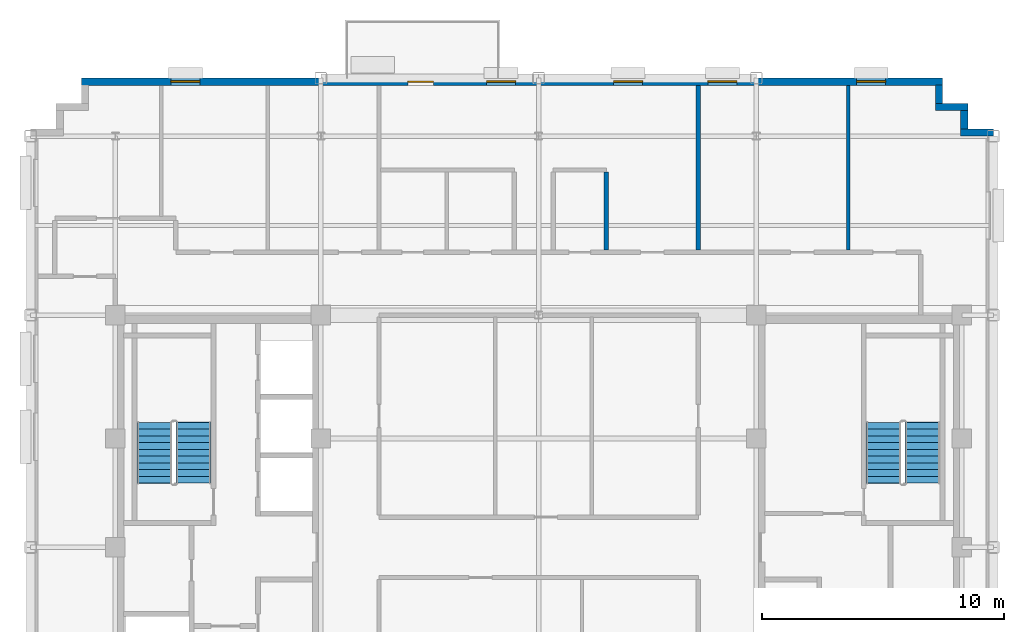
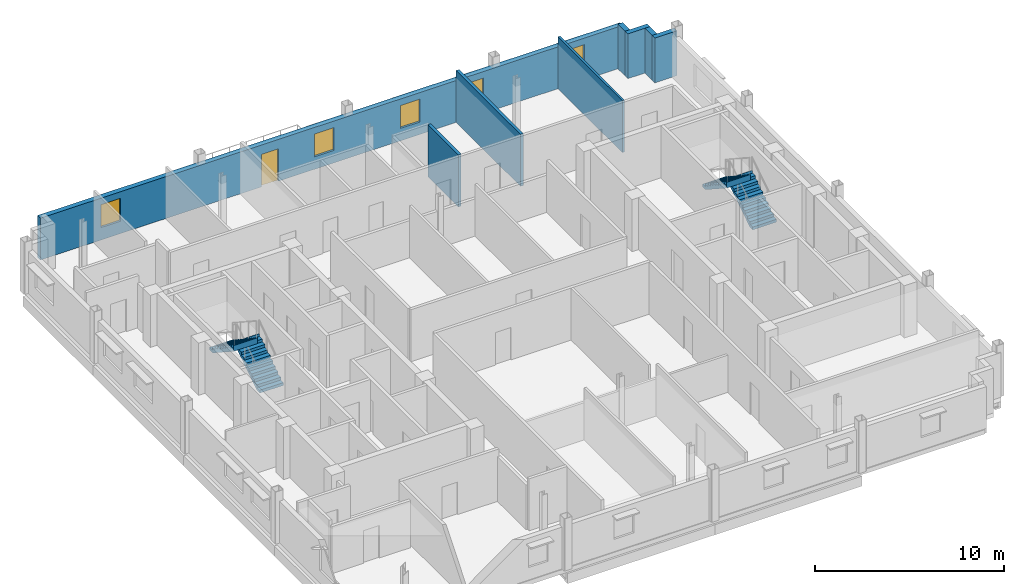
# One storey, part 9 of 14: 8 walls, 5 windows, 4 stair flights, 1 door, 6 openings, 2 elements without a shape of their own.
"""IFC4 building model written with IfcOpenShell, lengths in metres."""

from ifc_helpers import new_model, si_unit, direction, frame, frame_2d, origin, place, context, subcontext, project, spatial, polyline, rectangle, outline, extrude, source, transform, mapped, material, layer, layer_set, type_object, type_shapes, element, fill, aggregate, save


model = new_model("IFC4")

# Units and contexts
model_context = context("Model", 3, precision=1e-05, world=origin(), true_north=direction((0.0, 1.0)))
body_context = subcontext(model_context, "Body", "Model", "MODEL_VIEW")
ifc_project = project(units=[si_unit("LENGTHUNIT", "METRE"), si_unit("AREAUNIT", "SQUARE_METRE"), si_unit("VOLUMEUNIT", "CUBIC_METRE"), si_unit("PLANEANGLEUNIT", "RADIAN"), si_unit("MASSUNIT", "GRAM", prefix="KILO")], contexts=[model_context])

# Site, building, storey
site_placement = place(None, origin())
site = spatial("IfcSite", under=ifc_project, at=site_placement, CompositionType="ELEMENT")
building_placement = place(site_placement, origin())
building = spatial("IfcBuilding", under=site, at=building_placement, Name="Nuvemarco Arch Tower", CompositionType="ELEMENT")
storey_placement = place(building_placement, frame((0.0, 0.0, 272.550048828125)))
storey = spatial("IfcBuildingStorey", under=building, at=storey_placement, Name="L72", CompositionType="ELEMENT", Elevation=272.550048828125)

# Walls
ifc_material_1 = material(Name="Precast concrete C45/55", Category="concrete")
ifc_layer_1 = layer(ifc_material_1, 0.300048828125, Name="EW-HIGH-300")
ifc_layer_set_1 = layer_set([ifc_layer_1], Name="Precast concrete C45/55")
wall_type_1 = type_object("IfcWallType", Name="EW-HIGH-300", PredefinedType="STANDARD", material=ifc_layer_set_1)
wall_1_placement = place(storey_placement, frame((17.449951171875, 17.14990234375, 0.0), z_axis=(0.0, 0.0, 1.0), x_axis=(1.0, 0.0, 0.0)))
element("IfcWall", 1, at=wall_1_placement, inside=storey, type_object=wall_type_1, Name="L72 exterior precast facade wall 7", PredefinedType="STANDARD", context=body_context, shape_type="SweptSolid", body=[
    extrude(rectangle(XDim=1.35009765625, YDim=0.300048828125, at=frame_2d((0.675048828125, 0.0))), origin(), (0.0, 0.0, 1.0), 2.891845703125),
])
wall_2_placement = place(storey_placement, frame((17.60009765625, 17.2958984375, 0.0), z_axis=(0.0, 0.0, 1.0), x_axis=(0.0, 1.0, 0.0)))
element("IfcWall", 2, at=wall_2_placement, inside=storey, type_object=wall_type_1, Name="L72 exterior precast facade wall 8", PredefinedType="STANDARD", context=body_context, shape_type="SweptSolid", body=[
    extrude(rectangle(XDim=0.758056640625, YDim=0.300048828125, at=frame_2d((0.37890625, 0.0))), origin(), (0.0, 0.0, 1.0), 2.891845703125),
])
wall_3_placement = place(storey_placement, frame((16.39990234375, 18.199951171875, 0.0), z_axis=(0.0, 0.0, 1.0), x_axis=(1.0, 0.0, 0.0)))
element("IfcWall", 3, at=wall_3_placement, inside=storey, type_object=wall_type_1, Name="L72 exterior precast facade wall 9", PredefinedType="STANDARD", context=body_context, shape_type="SweptSolid", body=[
    extrude(rectangle(XDim=1.35009765625, YDim=0.300048828125, at=frame_2d((0.675048828125, 0.0))), origin(), (0.0, 0.0, 1.0), 2.891845703125),
])
wall_4_placement = place(storey_placement, frame((16.550048828125, 18.345947265625, 0.0), z_axis=(0.0, 0.0, 1.0), x_axis=(0.0, 1.0, 0.0)))
element("IfcWall", 4, at=wall_4_placement, inside=storey, type_object=wall_type_1, Name="L72 exterior precast facade wall 10", PredefinedType="STANDARD", context=body_context, shape_type="SweptSolid", body=[
    extrude(rectangle(XDim=0.758056640625, YDim=0.300048828125, at=frame_2d((0.37890625, 0.0))), origin(), (0.0, 0.0, 1.0), 2.891845703125),
])

# Wall, openings, door, windows
wall_5_placement = place(storey_placement, frame((-18.89990234375, 19.25, 0.0), z_axis=(0.0, 0.0, 1.0), x_axis=(1.0, 0.0, 0.0)))
wall_5 = element("IfcWall", 5, at=wall_5_placement, inside=storey, type_object=wall_type_1, Name="L72 exterior precast facade wall 11", PredefinedType="STANDARD", context=body_context, shape_type="SweptSolid", body=[
    extrude(rectangle(XDim=35.599853515625, YDim=0.300048828125, at=frame_2d((17.7998046875, 0.0))), origin(), (0.0, 0.0, 1.0), 2.704833984375),
])
opening_1_placement = place(wall_5_placement, frame((13.5, 0.0, 0.0)))
opening_1 = element("IfcOpeningElement", 6, at=opening_1_placement, cuts=wall_5, Name="Opening ED-5", PredefinedType="OPENING", context=body_context, shape_type="SweptSolid", body=[
    extrude(rectangle(XDim=1.050048828125, YDim=2.10009765625, at=frame_2d((0.52490234375, 1.050048828125))), frame((0.0, 0.159912109375, 0.0), z_axis=(0.0, -1.0, 0.0), x_axis=(1.0, 0.0, 0.0)), (0.0, 0.0, 1.0), 0.320068359375),
])
opening_2_placement = place(wall_5_placement, frame((3.699951171875, 0.0, 0.800048828125)))
opening_2 = element("IfcOpeningElement", 7, at=opening_2_placement, cuts=wall_5, Name="Opening WN-8", PredefinedType="OPENING", context=body_context, shape_type="SweptSolid", body=[
    extrude(rectangle(XDim=1.199951171875, YDim=1.47998046875, at=frame_2d((0.60009765625, 0.739990234375))), frame((0.0, 0.159912109375, 0.0), z_axis=(0.0, -1.0, 0.0), x_axis=(1.0, 0.0, 0.0)), (0.0, 0.0, 1.0), 0.320068359375),
])
opening_3_placement = place(wall_5_placement, frame((16.75, 0.0, 0.800048828125)))
opening_3 = element("IfcOpeningElement", 8, at=opening_3_placement, cuts=wall_5, Name="Opening WN-8", PredefinedType="OPENING", context=body_context, shape_type="SweptSolid", body=[
    extrude(rectangle(XDim=1.199951171875, YDim=1.47998046875, at=frame_2d((0.60009765625, 0.739990234375))), frame((0.0, 0.159912109375, 0.0), z_axis=(0.0, -1.0, 0.0), x_axis=(1.0, 0.0, 0.0)), (0.0, 0.0, 1.0), 0.320068359375),
])
opening_4_placement = place(wall_5_placement, frame((22.0, 0.0, 0.800048828125)))
opening_4 = element("IfcOpeningElement", 9, at=opening_4_placement, cuts=wall_5, Name="Opening WN-8", PredefinedType="OPENING", context=body_context, shape_type="SweptSolid", body=[
    extrude(rectangle(XDim=1.199951171875, YDim=1.47998046875, at=frame_2d((0.60009765625, 0.739990234375))), frame((0.0, 0.159912109375, 0.0), z_axis=(0.0, -1.0, 0.0), x_axis=(1.0, 0.0, 0.0)), (0.0, 0.0, 1.0), 0.320068359375),
])
opening_5_placement = place(wall_5_placement, frame((25.89990234375, 0.0, 0.800048828125)))
opening_5 = element("IfcOpeningElement", 10, at=opening_5_placement, cuts=wall_5, Name="Opening WN-8", PredefinedType="OPENING", context=body_context, shape_type="SweptSolid", body=[
    extrude(rectangle(XDim=1.199951171875, YDim=1.47998046875, at=frame_2d((0.60009765625, 0.739990234375))), frame((0.0, 0.159912109375, 0.0), z_axis=(0.0, -1.0, 0.0), x_axis=(1.0, 0.0, 0.0)), (0.0, 0.0, 1.0), 0.320068359375),
])
opening_6_placement = place(wall_5_placement, frame((32.050048828125, 0.0, 0.800048828125)))
opening_6 = element("IfcOpeningElement", 11, at=opening_6_placement, cuts=wall_5, Name="Opening WN-8", PredefinedType="OPENING", context=body_context, shape_type="SweptSolid", body=[
    extrude(rectangle(XDim=1.199951171875, YDim=1.47998046875, at=frame_2d((0.60009765625, 0.739990234375))), frame((0.0, 0.159912109375, 0.0), z_axis=(0.0, -1.0, 0.0), x_axis=(1.0, 0.0, 0.0)), (0.0, 0.0, 1.0), 0.320068359375),
])
ifc_material_2 = material(Name="Anodised bronze and laminated glass", Category="glass")
door_type = type_object("IfcDoorType", Name="DR-EXT-TERR", OperationType="NOTDEFINED", PredefinedType="DOOR", material=ifc_material_2)
shared_shape_1 = source(origin(), body_context, "Body", "SweptSolid", [
    extrude(rectangle(XDim=1.050048828125, YDim=2.10009765625, at=frame_2d((0.52490234375, 1.050048828125))), frame((0.0, 0.02490234375, 0.0), z_axis=(0.0, -1.0, 0.0), x_axis=(1.0, 0.0, 0.0)), (0.0, 0.0, 1.0), 0.050048828125),
])
type_shapes(door_type, [shared_shape_1])
door_placement = place(opening_1_placement, origin())
door = element("IfcDoor", 12, at=door_placement, inside=storey, type_object=door_type, Name="L72 spiral terrace access door", OperationType="SINGLE_SWING_LEFT", OverallHeight=2.10009765625, OverallWidth=1.050048828125, PredefinedType="DOOR", context=body_context, shape_type="MappedRepresentation", body=[
    mapped(shared_shape_1, transform((0.0, 0.0, 0.0), scale=1.0)),
])
fill(opening_1, door)
ifc_material_3 = material(Name="Insulated solar-control glass", Category="glass")
window_type = type_object("IfcWindowType", Name="WN-HIGH-1200x1480", PartitioningType="SINGLE_PANEL", PredefinedType="WINDOW", material=ifc_material_3)
shared_shape_2 = source(origin(), body_context, "Body", "SweptSolid", [
    extrude(rectangle(XDim=1.199951171875, YDim=1.47998046875, at=frame_2d((0.60009765625, 0.739990234375))), frame((0.0, 0.030029296875, 0.0), z_axis=(0.0, -1.0, 0.0), x_axis=(1.0, 0.0, 0.0)), (0.0, 0.0, 1.0), 0.06005859375),
])
type_shapes(window_type, [shared_shape_2])
window_1_placement = place(opening_2_placement, origin())
window_1 = element("IfcWindow", 13, at=window_1_placement, inside=storey, type_object=window_type, Name="L72 punched facade window 1", OverallHeight=1.47998046875, OverallWidth=1.199951171875, PartitioningType="SINGLE_PANEL", PredefinedType="WINDOW", context=body_context, shape_type="MappedRepresentation", body=[
    mapped(shared_shape_2, transform((0.0, 0.0, 0.0), scale=1.0)),
])
fill(opening_2, window_1)
window_2_placement = place(opening_3_placement, origin())
window_2 = element("IfcWindow", 14, at=window_2_placement, inside=storey, type_object=window_type, Name="L72 punched facade window 4", OverallHeight=1.47998046875, OverallWidth=1.199951171875, PartitioningType="SINGLE_PANEL", PredefinedType="WINDOW", context=body_context, shape_type="MappedRepresentation", body=[
    mapped(shared_shape_2, transform((0.0, 0.0, 0.0), scale=1.0)),
])
fill(opening_3, window_2)
window_3_placement = place(opening_4_placement, origin())
window_3 = element("IfcWindow", 15, at=window_3_placement, inside=storey, type_object=window_type, Name="L72 punched facade window 5", OverallHeight=1.47998046875, OverallWidth=1.199951171875, PartitioningType="SINGLE_PANEL", PredefinedType="WINDOW", context=body_context, shape_type="MappedRepresentation", body=[
    mapped(shared_shape_2, transform((0.0, 0.0, 0.0), scale=1.0)),
])
fill(opening_4, window_3)
window_4_placement = place(opening_5_placement, origin())
window_4 = element("IfcWindow", 16, at=window_4_placement, inside=storey, type_object=window_type, Name="L72 punched facade window 6", OverallHeight=1.47998046875, OverallWidth=1.199951171875, PartitioningType="SINGLE_PANEL", PredefinedType="WINDOW", context=body_context, shape_type="MappedRepresentation", body=[
    mapped(shared_shape_2, transform((0.0, 0.0, 0.0), scale=1.0)),
])
fill(opening_5, window_4)
window_5_placement = place(opening_6_placement, origin())
window_5 = element("IfcWindow", 17, at=window_5_placement, inside=storey, type_object=window_type, Name="L72 punched facade window 7", OverallHeight=1.47998046875, OverallWidth=1.199951171875, PartitioningType="SINGLE_PANEL", PredefinedType="WINDOW", context=body_context, shape_type="MappedRepresentation", body=[
    mapped(shared_shape_2, transform((0.0, 0.0, 0.0), scale=1.0)),
])
fill(opening_6, window_5)

# Walls
ifc_material_4 = material(Name="Fire-rated gypsum drywall partition")
ifc_layer_2 = layer(ifc_material_4, 0.179931640625, Name="WL-CORR-180")
ifc_layer_set_2 = layer_set([ifc_layer_2], Name="Fire-rated gypsum drywall partition")
wall_type_2 = type_object("IfcWallType", Name="WL-CORR-180", PredefinedType="PARTITIONING", material=ifc_layer_set_2)
wall_6_placement = place(storey_placement, frame((2.800048828125, 12.285888671875, 0.0), z_axis=(0.0, 0.0, 1.0), x_axis=(0.0, 1.0, 0.0)))
element("IfcWall", 18, at=wall_6_placement, inside=storey, type_object=wall_type_2, Name="L72 interior wall IW-L72-038", PredefinedType="PARTITIONING", context=body_context, shape_type="SweptSolid", body=[
    extrude(rectangle(XDim=3.22802734375, YDim=0.179931640625, at=frame_2d((1.614013671875, 0.0))), origin(), (0.0, 0.0, 1.0), 3.35986328125),
])
wall_7_placement = place(storey_placement, frame((6.60009765625, 12.285888671875, 0.0), z_axis=(0.0, 0.0, 1.0), x_axis=(0.0, 1.0, 0.0)))
element("IfcWall", 19, at=wall_7_placement, inside=storey, type_object=wall_type_2, Name="L72 interior wall IW-L72-041", PredefinedType="PARTITIONING", context=body_context, shape_type="SweptSolid", body=[
    extrude(rectangle(XDim=6.814208984375, YDim=0.179931640625, at=frame_2d((3.4072265625, 0.0))), origin(), (0.0, 0.0, 1.0), 3.35986328125),
])
ifc_material_5 = material(Name="Glazed acoustic office partition")
ifc_layer_3 = layer(ifc_material_5, 0.1298828125, Name="WL-EXEC-130")
ifc_layer_set_3 = layer_set([ifc_layer_3], Name="Glazed acoustic office partition")
wall_type_3 = type_object("IfcWallType", Name="WL-EXEC-130", PredefinedType="PARTITIONING", material=ifc_layer_set_3)
wall_8_placement = place(storey_placement, frame((12.800048828125, 12.285888671875, 0.0), z_axis=(0.0, 0.0, 1.0), x_axis=(0.0, 1.0, 0.0)))
element("IfcWall", 20, at=wall_8_placement, inside=storey, type_object=wall_type_3, Name="L72 interior wall IW-L72-043", PredefinedType="PARTITIONING", context=body_context, shape_type="SweptSolid", body=[
    extrude(rectangle(XDim=6.814208984375, YDim=0.1298828125, at=frame_2d((3.4072265625, 0.0))), origin(), (0.0, 0.0, 1.0), 3.35986328125),
])

# Stair, stair flights
stair_type = type_object("IfcStairType", Name="ST-CORE-20R", PredefinedType="HALF_TURN_STAIR", material=ifc_material_1)
stair_1_placement = place(storey_placement, origin())
stair_1 = element("IfcStair", 21, at=stair_1_placement, inside=storey, type_object=stair_type, Name="L72 Protected Exit Stair ST-1", PredefinedType="HALF_TURN_STAIR")
stair_flight_type = type_object("IfcStairFlightType", Name="SF-CORE-20R", PredefinedType="STRAIGHT", material=ifc_material_1)
stair_flight_1_placement = place(storey_placement, frame((-14.264892578125, 2.64990234375, 0.0), z_axis=(0.0, 0.0, 1.0), x_axis=(0.0, 1.0, 0.0)))
stair_flight_1 = element("IfcStairFlight", 22, at=stair_flight_1_placement, type_object=stair_flight_type, Name="ST-20R flight 1", NumberOfRisers=10, NumberOfTreads=9, PredefinedType="STRAIGHT", RiserHeight=0.1825, TreadLength=0.28, context=body_context, shape_type="SweptSolid", body=[
    extrude(outline(polyline([(0.0, 0.0), (0.0, 0.1826171875), (0.280029296875, 0.1826171875), (0.280029296875, 0.364990234375), (0.56005859375, 0.364990234375), (0.56005859375, 0.547607421875), (0.840087890625, 0.547607421875), (0.840087890625, 0.72998046875), (1.1201171875, 0.72998046875), (1.1201171875, 0.91259765625), (1.39990234375, 0.91259765625), (1.39990234375, 1.094970703125), (1.679931640625, 1.094970703125), (1.679931640625, 1.277587890625), (1.9599609375, 1.277587890625), (1.9599609375, 1.4599609375), (2.239990234375, 1.4599609375), (2.239990234375, 1.642578125), (2.52001953125, 1.642578125), (2.52001953125, 1.824951171875), (2.5400390625, 1.824951171875), (2.5400390625, 1.45166015625), (0.312744140625, 0.0), (0.0, 0.0)])), frame((0.0, 0.72509765625, 0.0), z_axis=(0.0, -1.0, 0.0), x_axis=(1.0, 0.0, 0.0)), (0.0, 0.0, 1.0), 1.449951171875),
])
stair_flight_2_placement = place(storey_placement, frame((-15.875, 5.169921875, 1.824951171875), z_axis=(0.0, 0.0, 1.0), x_axis=(0.0, -1.0, 0.0)))
stair_flight_2 = element("IfcStairFlight", 23, at=stair_flight_2_placement, type_object=stair_flight_type, Name="ST-20R flight 2", NumberOfRisers=10, NumberOfTreads=9, PredefinedType="STRAIGHT", RiserHeight=0.1825, TreadLength=0.28, context=body_context, shape_type="SweptSolid", body=[
    extrude(outline(polyline([(0.0, 0.0), (0.0, 0.1826171875), (0.280029296875, 0.1826171875), (0.280029296875, 0.364990234375), (0.56005859375, 0.364990234375), (0.56005859375, 0.547607421875), (0.840087890625, 0.547607421875), (0.840087890625, 0.72998046875), (1.1201171875, 0.72998046875), (1.1201171875, 0.91259765625), (1.39990234375, 0.91259765625), (1.39990234375, 1.094970703125), (1.679931640625, 1.094970703125), (1.679931640625, 1.277587890625), (1.9599609375, 1.277587890625), (1.9599609375, 1.4599609375), (2.239990234375, 1.4599609375), (2.239990234375, 1.642578125), (2.52001953125, 1.642578125), (2.52001953125, 1.824951171875), (2.5400390625, 1.824951171875), (2.5400390625, 1.45166015625), (0.312744140625, 0.0), (0.0, 0.0)])), frame((0.0, 0.72509765625, 0.0), z_axis=(0.0, -1.0, 0.0), x_axis=(1.0, 0.0, 0.0)), (0.0, 0.0, 1.0), 1.449951171875),
])
aggregate(stair_1, [stair_flight_1, stair_flight_2])

stair_2_placement = place(storey_placement, origin())
stair_2 = element("IfcStair", 24, at=stair_2_placement, inside=storey, type_object=stair_type, Name="L72 Protected Exit Stair ST-2", PredefinedType="HALF_TURN_STAIR")
stair_flight_3_placement = place(storey_placement, frame((15.875, 2.64990234375, 0.0), z_axis=(0.0, 0.0, 1.0), x_axis=(0.0, 1.0, 0.0)))
stair_flight_3 = element("IfcStairFlight", 25, at=stair_flight_3_placement, type_object=stair_flight_type, Name="ST-20R flight 1", NumberOfRisers=10, NumberOfTreads=9, PredefinedType="STRAIGHT", RiserHeight=0.1825, TreadLength=0.28, context=body_context, shape_type="SweptSolid", body=[
    extrude(outline(polyline([(0.0, 0.0), (0.0, 0.1826171875), (0.280029296875, 0.1826171875), (0.280029296875, 0.364990234375), (0.56005859375, 0.364990234375), (0.56005859375, 0.547607421875), (0.840087890625, 0.547607421875), (0.840087890625, 0.72998046875), (1.1201171875, 0.72998046875), (1.1201171875, 0.91259765625), (1.39990234375, 0.91259765625), (1.39990234375, 1.094970703125), (1.679931640625, 1.094970703125), (1.679931640625, 1.277587890625), (1.9599609375, 1.277587890625), (1.9599609375, 1.4599609375), (2.239990234375, 1.4599609375), (2.239990234375, 1.642578125), (2.52001953125, 1.642578125), (2.52001953125, 1.824951171875), (2.5400390625, 1.824951171875), (2.5400390625, 1.45166015625), (0.312744140625, 0.0), (0.0, 0.0)])), frame((0.0, 0.72509765625, 0.0), z_axis=(0.0, -1.0, 0.0), x_axis=(1.0, 0.0, 0.0)), (0.0, 0.0, 1.0), 1.449951171875),
])
stair_flight_4_placement = place(storey_placement, frame((14.264892578125, 5.169921875, 1.824951171875), z_axis=(0.0, 0.0, 1.0), x_axis=(0.0, -1.0, 0.0)))
stair_flight_4 = element("IfcStairFlight", 26, at=stair_flight_4_placement, type_object=stair_flight_type, Name="ST-20R flight 2", NumberOfRisers=10, NumberOfTreads=9, PredefinedType="STRAIGHT", RiserHeight=0.1825, TreadLength=0.28, context=body_context, shape_type="SweptSolid", body=[
    extrude(outline(polyline([(0.0, 0.0), (0.0, 0.1826171875), (0.280029296875, 0.1826171875), (0.280029296875, 0.364990234375), (0.56005859375, 0.364990234375), (0.56005859375, 0.547607421875), (0.840087890625, 0.547607421875), (0.840087890625, 0.72998046875), (1.1201171875, 0.72998046875), (1.1201171875, 0.91259765625), (1.39990234375, 0.91259765625), (1.39990234375, 1.094970703125), (1.679931640625, 1.094970703125), (1.679931640625, 1.277587890625), (1.9599609375, 1.277587890625), (1.9599609375, 1.4599609375), (2.239990234375, 1.4599609375), (2.239990234375, 1.642578125), (2.52001953125, 1.642578125), (2.52001953125, 1.824951171875), (2.5400390625, 1.824951171875), (2.5400390625, 1.45166015625), (0.312744140625, 0.0), (0.0, 0.0)])), frame((0.0, 0.72509765625, 0.0), z_axis=(0.0, -1.0, 0.0), x_axis=(1.0, 0.0, 0.0)), (0.0, 0.0, 1.0), 1.449951171875),
])
aggregate(stair_2, [stair_flight_3, stair_flight_4])

save(model, "model.ifc")
